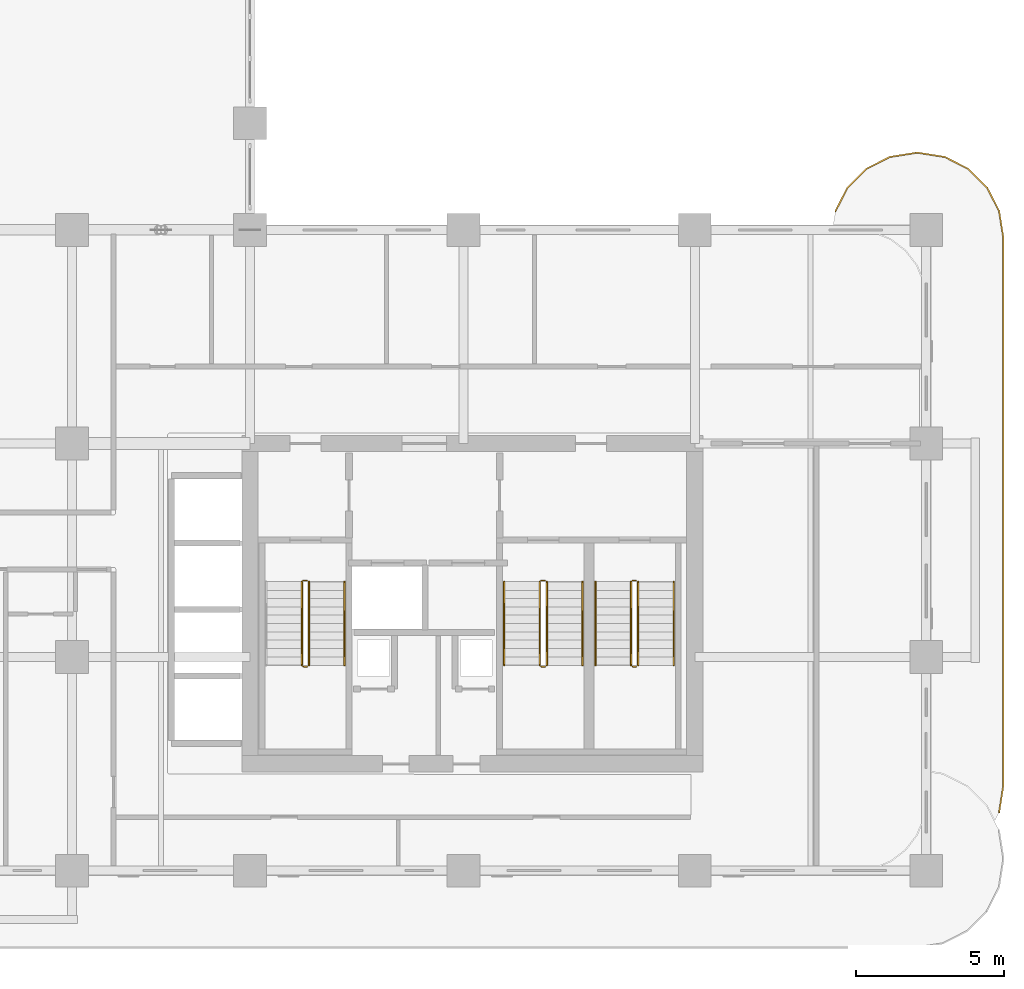
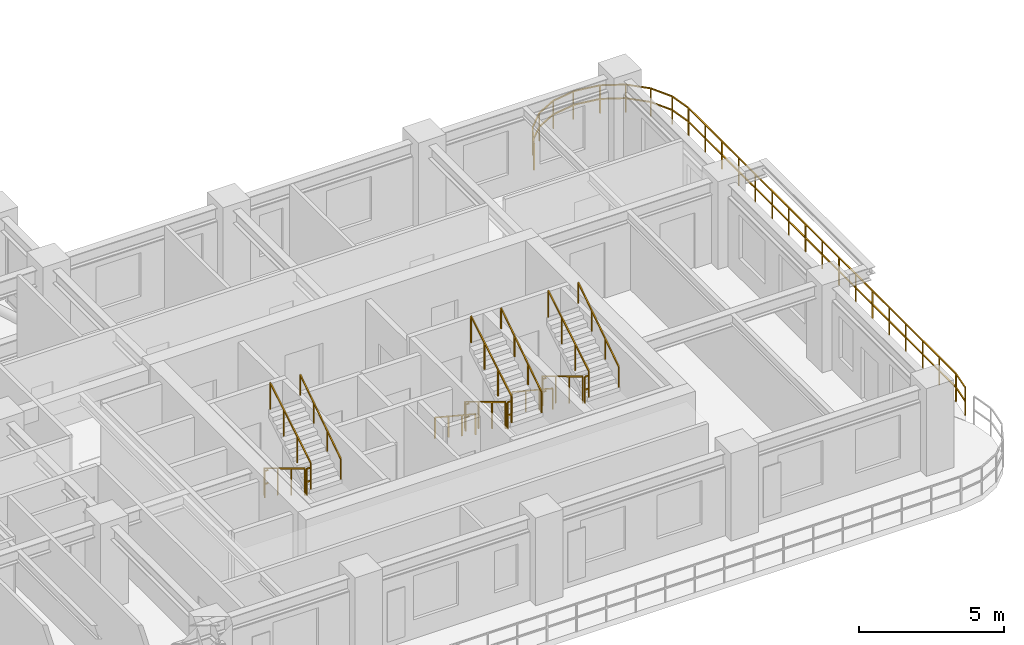
# One storey, part 19 of 21: 18 railings.
"""IFC4 building model written with IfcOpenShell, lengths in metres."""

from ifc_helpers import new_model, si_unit, derived_unit, direction, frame, origin, origin_2d, place, context, subcontext, project, spatial, rectangle, extrude, material, type_object, element, save


model = new_model("IFC4")

# Units and contexts
model_context = context("Model", 3, precision=1e-05, world=origin(), true_north=direction((0.0, 1.0)))
body_context = subcontext(model_context, "Body", "Model", "MODEL_VIEW")
ifc_project = project(units=[si_unit("LENGTHUNIT", "METRE"), si_unit("AREAUNIT", "SQUARE_METRE"), si_unit("VOLUMEUNIT", "CUBIC_METRE"), si_unit("PLANEANGLEUNIT", "RADIAN"), si_unit("MASSUNIT", "GRAM", prefix="KILO"), si_unit("THERMODYNAMICTEMPERATUREUNIT", "KELVIN"), si_unit("POWERUNIT", "WATT"), derived_unit("THERMALTRANSMITTANCEUNIT", [(si_unit("POWERUNIT", "WATT"), 1), (si_unit("AREAUNIT", "SQUARE_METRE"), -1), (si_unit("THERMODYNAMICTEMPERATUREUNIT", "KELVIN"), -1)])], contexts=[model_context])

# Site, building, storey
site_placement = place(None, origin())
site = spatial("IfcSite", under=ifc_project, at=site_placement, CompositionType="ELEMENT")
building_placement = place(site_placement, origin())
building = spatial("IfcBuilding", under=site, at=building_placement, Name="Zahravan Archway Hotel and Residences", CompositionType="ELEMENT")
storey_placement = place(building_placement, frame((0.0, 0.0, 69.39990234375)))
storey = spatial("IfcBuildingStorey", under=building, at=storey_placement, Name="L16", CompositionType="ELEMENT", Elevation=69.39990234375)

# Railings
ifc_material_1 = material(Name="Bronze & Laminated Glass Balustrade", Category="glass")
railing_type_1 = type_object("IfcRailingType", Name="RL-BAL-1200", PredefinedType="BALUSTRADE", material=ifc_material_1)
railing_1_placement = place(storey_placement, frame((54.53955078125, 22.230712890625, 0.0)))
element("IfcRailing", 1, at=railing_1_placement, inside=storey, type_object=railing_type_1, Name="L16 Balustrade RL-SLB-BAL-L16-EA-1", PredefinedType="BALUSTRADE", context=body_context, shape_type="SweptSolid", body=[
    extrude(rectangle(XDim=0.048095703125, YDim=0.048095703125, at=origin_2d()), frame((0.0, 0.0, 1.17578125), z_axis=(0.453991409995, 0.891006060389, 0.0), x_axis=(-0.891006060389, 0.453991409995, 0.0)), (0.0, 0.0, 1.0), 0.8916015625),
    extrude(rectangle(XDim=0.048095703125, YDim=0.048095703125, at=origin_2d()), frame((0.0, 0.0, 0.60009765625), z_axis=(0.453991409995, 0.891006060389, 0.0), x_axis=(-0.891006060389, 0.453991409995, 0.0)), (0.0, 0.0, 1.0), 0.8916015625),
    extrude(rectangle(XDim=0.048095703125, YDim=0.048095703125, at=origin_2d()), frame((0.40478515625, 0.79443359375, 1.17578125), z_axis=(0.706969864397, 0.70724367147, 0.0), x_axis=(-0.70724367147, 0.706969864397, 0.0)), (0.0, 0.0, 1.0), 0.8916015625),
    extrude(rectangle(XDim=0.048095703125, YDim=0.048095703125, at=origin_2d()), frame((0.40478515625, 0.79443359375, 0.60009765625), z_axis=(0.706969864397, 0.70724367147, 0.0), x_axis=(-0.70724367147, 0.706969864397, 0.0)), (0.0, 0.0, 1.0), 0.8916015625),
    extrude(rectangle(XDim=0.048095703125, YDim=0.048095703125, at=origin_2d()), frame((1.03515625, 1.425048828125, 1.17578125), z_axis=(0.891062476022, 0.45388067135, 0.0), x_axis=(-0.45388067135, 0.891062476022, 0.0)), (0.0, 0.0, 1.0), 0.891845703125),
    extrude(rectangle(XDim=0.048095703125, YDim=0.048095703125, at=origin_2d()), frame((1.03515625, 1.425048828125, 0.60009765625), z_axis=(0.891062476022, 0.45388067135, 0.0), x_axis=(-0.45388067135, 0.891062476022, 0.0)), (0.0, 0.0, 1.0), 0.891845703125),
    extrude(rectangle(XDim=0.048095703125, YDim=0.048095703125, at=origin_2d()), frame((1.829833984375, 1.829833984375, 1.17578125), z_axis=(0.987700720307, 0.156356282588, 0.0), x_axis=(-0.156356282588, 0.987700720307, 0.0)), (0.0, 0.0, 1.0), 0.8916015625),
    extrude(rectangle(XDim=0.048095703125, YDim=0.048095703125, at=origin_2d()), frame((1.829833984375, 1.829833984375, 0.60009765625), z_axis=(0.987700720307, 0.156356282588, 0.0), x_axis=(-0.156356282588, 0.987700720307, 0.0)), (0.0, 0.0, 1.0), 0.8916015625),
    extrude(rectangle(XDim=0.048095703125, YDim=0.048095703125, at=origin_2d()), frame((2.71044921875, 1.96923828125, 1.17578125), z_axis=(1.0, 0.0, 0.0), x_axis=(0.0, 1.0, 0.0)), (0.0, 0.0, 1.0), 0.10009765625),
    extrude(rectangle(XDim=0.048095703125, YDim=0.048095703125, at=origin_2d()), frame((2.71044921875, 1.96923828125, 0.60009765625), z_axis=(1.0, 0.0, 0.0), x_axis=(0.0, 1.0, 0.0)), (0.0, 0.0, 1.0), 0.10009765625),
    extrude(rectangle(XDim=0.048095703125, YDim=0.048095703125, at=origin_2d()), frame((2.810546875, 1.96923828125, 1.17578125), z_axis=(0.987700720307, -0.156356282588, 0.0), x_axis=(0.156356282588, 0.987700720307, 0.0)), (0.0, 0.0, 1.0), 0.8916015625),
    extrude(rectangle(XDim=0.048095703125, YDim=0.048095703125, at=origin_2d()), frame((2.810546875, 1.96923828125, 0.60009765625), z_axis=(0.987700720307, -0.156356282588, 0.0), x_axis=(0.156356282588, 0.987700720307, 0.0)), (0.0, 0.0, 1.0), 0.8916015625),
    extrude(rectangle(XDim=0.048095703125, YDim=0.048095703125, at=origin_2d()), frame((3.691162109375, 1.829833984375, 1.17578125), z_axis=(0.891006060389, -0.453991409995, 0.0), x_axis=(0.453991409995, 0.891006060389, 0.0)), (0.0, 0.0, 1.0), 0.8916015625),
    extrude(rectangle(XDim=0.048095703125, YDim=0.048095703125, at=origin_2d()), frame((3.691162109375, 1.829833984375, 0.60009765625), z_axis=(0.891006060389, -0.453991409995, 0.0), x_axis=(0.453991409995, 0.891006060389, 0.0)), (0.0, 0.0, 1.0), 0.8916015625),
    extrude(rectangle(XDim=0.048095703125, YDim=0.048095703125, at=origin_2d()), frame((4.485595703125, 1.425048828125, 1.17578125), z_axis=(0.707106781187, -0.707106781187, 0.0), x_axis=(0.707106781187, 0.707106781187, 0.0)), (0.0, 0.0, 1.0), 0.891845703125),
    extrude(rectangle(XDim=0.048095703125, YDim=0.048095703125, at=origin_2d()), frame((4.485595703125, 1.425048828125, 0.60009765625), z_axis=(0.707106781187, -0.707106781187, 0.0), x_axis=(0.707106781187, 0.707106781187, 0.0)), (0.0, 0.0, 1.0), 0.891845703125),
    extrude(rectangle(XDim=0.048095703125, YDim=0.048095703125, at=origin_2d()), frame((5.1162109375, 0.79443359375, 1.17578125), z_axis=(0.453991409995, -0.891006060389, 0.0), x_axis=(0.891006060389, 0.453991409995, 0.0)), (0.0, 0.0, 1.0), 0.8916015625),
    extrude(rectangle(XDim=0.048095703125, YDim=0.048095703125, at=origin_2d()), frame((5.1162109375, 0.79443359375, 0.60009765625), z_axis=(0.453991409995, -0.891006060389, 0.0), x_axis=(0.891006060389, 0.453991409995, 0.0)), (0.0, 0.0, 1.0), 0.8916015625),
    extrude(rectangle(XDim=0.048095703125, YDim=0.048095703125, at=origin_2d()), frame((5.52099609375, 0.0, 1.17578125), z_axis=(0.156356282588, -0.987700720307, 0.0), x_axis=(0.987700720307, 0.156356282588, 0.0)), (0.0, 0.0, 1.0), 0.8916015625),
    extrude(rectangle(XDim=0.048095703125, YDim=0.048095703125, at=origin_2d()), frame((5.52099609375, 0.0, 0.60009765625), z_axis=(0.156356282588, -0.987700720307, 0.0), x_axis=(0.987700720307, 0.156356282588, 0.0)), (0.0, 0.0, 1.0), 0.8916015625),
    extrude(rectangle(XDim=0.048095703125, YDim=0.048095703125, at=origin_2d()), frame((5.660400390625, -0.880615234375, 1.17578125), z_axis=(0.0, -1.0, 0.0), x_axis=(1.0, 0.0, 0.0)), (0.0, 0.0, 1.0), 18.5),
    extrude(rectangle(XDim=0.048095703125, YDim=0.048095703125, at=origin_2d()), frame((5.660400390625, -0.880615234375, 0.60009765625), z_axis=(0.0, -1.0, 0.0), x_axis=(1.0, 0.0, 0.0)), (0.0, 0.0, 1.0), 18.5),
    extrude(rectangle(XDim=0.048095703125, YDim=0.048095703125, at=origin_2d()), frame((5.660400390625, -19.380615234375, 1.17578125), z_axis=(-0.156314005608, -0.987707411965, 0.0), x_axis=(0.987707411965, -0.156314005608, 0.0)), (0.0, 0.0, 1.0), 0.891845703125),
    extrude(rectangle(XDim=0.048095703125, YDim=0.048095703125, at=origin_2d()), frame((5.660400390625, -19.380615234375, 0.60009765625), z_axis=(-0.156314005608, -0.987707411965, 0.0), x_axis=(0.987707411965, -0.156314005608, 0.0)), (0.0, 0.0, 1.0), 0.891845703125),
    extrude(rectangle(XDim=0.0419921875, YDim=0.0419921875, at=origin_2d()), origin(), (0.0, 0.0, 1.0), 1.15185546875),
    extrude(rectangle(XDim=0.0419921875, YDim=0.0419921875, at=origin_2d()), frame((0.40478515625, 0.79443359375, 0.0)), (0.0, 0.0, 1.0), 1.15185546875),
    extrude(rectangle(XDim=0.0419921875, YDim=0.0419921875, at=origin_2d()), frame((1.03515625, 1.425048828125, 0.0)), (0.0, 0.0, 1.0), 1.15185546875),
    extrude(rectangle(XDim=0.0419921875, YDim=0.0419921875, at=origin_2d()), frame((1.829833984375, 1.829833984375, 0.0)), (0.0, 0.0, 1.0), 1.15185546875),
    extrude(rectangle(XDim=0.0419921875, YDim=0.0419921875, at=origin_2d()), frame((2.71044921875, 1.96923828125, 0.0)), (0.0, 0.0, 1.0), 1.15185546875),
    extrude(rectangle(XDim=0.0419921875, YDim=0.0419921875, at=origin_2d()), frame((3.691162109375, 1.829833984375, 0.0)), (0.0, 0.0, 1.0), 1.15185546875),
    extrude(rectangle(XDim=0.0419921875, YDim=0.0419921875, at=origin_2d()), frame((4.485595703125, 1.425048828125, 0.0)), (0.0, 0.0, 1.0), 1.15185546875),
    extrude(rectangle(XDim=0.0419921875, YDim=0.0419921875, at=origin_2d()), frame((5.1162109375, 0.79443359375, 0.0)), (0.0, 0.0, 1.0), 1.15185546875),
    extrude(rectangle(XDim=0.0419921875, YDim=0.0419921875, at=origin_2d()), frame((5.52099609375, 0.0, 0.0)), (0.0, 0.0, 1.0), 1.15185546875),
    extrude(rectangle(XDim=0.0419921875, YDim=0.0419921875, at=origin_2d()), frame((5.660400390625, -0.880615234375, 0.0)), (0.0, 0.0, 1.0), 1.15185546875),
    extrude(rectangle(XDim=0.0419921875, YDim=0.0419921875, at=origin_2d()), frame((5.660400390625, -2.036865234375, 0.0)), (0.0, 0.0, 1.0), 1.15185546875),
    extrude(rectangle(XDim=0.0419921875, YDim=0.0419921875, at=origin_2d()), frame((5.660400390625, -3.193115234375, 0.0)), (0.0, 0.0, 1.0), 1.15185546875),
    extrude(rectangle(XDim=0.0419921875, YDim=0.0419921875, at=origin_2d()), frame((5.660400390625, -4.349365234375, 0.0)), (0.0, 0.0, 1.0), 1.15185546875),
    extrude(rectangle(XDim=0.0419921875, YDim=0.0419921875, at=origin_2d()), frame((5.660400390625, -5.505615234375, 0.0)), (0.0, 0.0, 1.0), 1.15185546875),
    extrude(rectangle(XDim=0.0419921875, YDim=0.0419921875, at=origin_2d()), frame((5.660400390625, -6.661865234375, 0.0)), (0.0, 0.0, 1.0), 1.15185546875),
    extrude(rectangle(XDim=0.0419921875, YDim=0.0419921875, at=origin_2d()), frame((5.660400390625, -7.818115234375, 0.0)), (0.0, 0.0, 1.0), 1.15185546875),
    extrude(rectangle(XDim=0.0419921875, YDim=0.0419921875, at=origin_2d()), frame((5.660400390625, -8.974365234375, 0.0)), (0.0, 0.0, 1.0), 1.15185546875),
    extrude(rectangle(XDim=0.0419921875, YDim=0.0419921875, at=origin_2d()), frame((5.660400390625, -10.130615234375, 0.0)), (0.0, 0.0, 1.0), 1.15185546875),
    extrude(rectangle(XDim=0.0419921875, YDim=0.0419921875, at=origin_2d()), frame((5.660400390625, -11.286865234375, 0.0)), (0.0, 0.0, 1.0), 1.15185546875),
    extrude(rectangle(XDim=0.0419921875, YDim=0.0419921875, at=origin_2d()), frame((5.660400390625, -12.443115234375, 0.0)), (0.0, 0.0, 1.0), 1.15185546875),
    extrude(rectangle(XDim=0.0419921875, YDim=0.0419921875, at=origin_2d()), frame((5.660400390625, -13.599365234375, 0.0)), (0.0, 0.0, 1.0), 1.15185546875),
    extrude(rectangle(XDim=0.0419921875, YDim=0.0419921875, at=origin_2d()), frame((5.660400390625, -14.755615234375, 0.0)), (0.0, 0.0, 1.0), 1.15185546875),
    extrude(rectangle(XDim=0.0419921875, YDim=0.0419921875, at=origin_2d()), frame((5.660400390625, -15.911865234375, 0.0)), (0.0, 0.0, 1.0), 1.15185546875),
    extrude(rectangle(XDim=0.0419921875, YDim=0.0419921875, at=origin_2d()), frame((5.660400390625, -17.068115234375, 0.0)), (0.0, 0.0, 1.0), 1.15185546875),
    extrude(rectangle(XDim=0.0419921875, YDim=0.0419921875, at=origin_2d()), frame((5.660400390625, -18.224365234375, 0.0)), (0.0, 0.0, 1.0), 1.15185546875),
    extrude(rectangle(XDim=0.0419921875, YDim=0.0419921875, at=origin_2d()), frame((5.660400390625, -19.380615234375, 0.0)), (0.0, 0.0, 1.0), 1.15185546875),
    extrude(rectangle(XDim=0.0419921875, YDim=0.0419921875, at=origin_2d()), frame((5.52099609375, -20.261474609375, 0.0)), (0.0, 0.0, 1.0), 1.15185546875),
])
ifc_material_2 = material(Name="Painted Tubular Steel", Category="steel")
railing_type_2 = type_object("IfcRailingType", Name="RL-STG-1150", PredefinedType="GUARDRAIL", material=ifc_material_2)
railing_2_placement = place(storey_placement, frame((36.550048828125, 9.72998046875, 0.168212890625)))
element("IfcRailing", 2, at=railing_2_placement, inside=storey, type_object=railing_type_2, Name="L16 ST-A1 stair guard 1", PredefinedType="GUARDRAIL", context=body_context, shape_type="SweptSolid", body=[
    extrude(rectangle(XDim=0.048095703125, YDim=0.048095703125, at=origin_2d()), frame((0.0, 0.0, 1.1259765625), z_axis=(0.0, -0.857242210791, 0.514913383045), x_axis=(1.0, 0.0, 0.0)), (0.0, 0.0, 1.0), 3.266357421875),
    extrude(rectangle(XDim=0.0419921875, YDim=0.0419921875, at=origin_2d()), origin(), (0.0, 0.0, 1.0), 1.101806640625),
    extrude(rectangle(XDim=0.0419921875, YDim=0.0419921875, at=origin_2d()), frame((0.0, -0.933349609375, 0.560546875)), (0.0, 0.0, 1.0), 1.101806640625),
    extrude(rectangle(XDim=0.0419921875, YDim=0.0419921875, at=origin_2d()), frame((0.0, -1.86669921875, 1.121337890625)), (0.0, 0.0, 1.0), 1.101806640625),
    extrude(rectangle(XDim=0.0419921875, YDim=0.0419921875, at=origin_2d()), frame((0.0, -2.800048828125, 1.681884765625)), (0.0, 0.0, 1.0), 1.101806640625),
])
railing_3_placement = place(storey_placement, frame((36.60009765625, 6.8798828125, 1.85009765625)))
element("IfcRailing", 3, at=railing_3_placement, inside=storey, type_object=railing_type_2, Name="L16 ST-A1 stair guard 2", PredefinedType="GUARDRAIL", context=body_context, shape_type="SweptSolid", body=[
    extrude(rectangle(XDim=0.048095703125, YDim=0.048095703125, at=origin_2d()), frame((0.0, 0.0, 1.1259765625), z_axis=(1.0, 0.0, 0.0), x_axis=(0.0, 1.0, 0.0)), (0.0, 0.0, 1.0), 0.139892578125),
    extrude(rectangle(XDim=0.048095703125, YDim=0.048095703125, at=origin_2d()), frame((0.0, 0.0, 0.574951171875), z_axis=(1.0, 0.0, 0.0), x_axis=(0.0, 1.0, 0.0)), (0.0, 0.0, 1.0), 0.139892578125),
    extrude(rectangle(XDim=0.0419921875, YDim=0.0419921875, at=origin_2d()), origin(), (0.0, 0.0, 1.0), 1.101806640625),
])
railing_4_placement = place(storey_placement, frame((36.7900390625, 6.929931640625, 2.018310546875)))
element("IfcRailing", 4, at=railing_4_placement, inside=storey, type_object=railing_type_2, Name="L16 ST-A1 stair guard 3", PredefinedType="GUARDRAIL", context=body_context, shape_type="SweptSolid", body=[
    extrude(rectangle(XDim=0.048095703125, YDim=0.048095703125, at=origin_2d()), frame((0.0, 0.0, 1.1259765625), z_axis=(0.0, 0.857242210791, 0.514913383045), x_axis=(-1.0, 0.0, 0.0)), (0.0, 0.0, 1.0), 3.266357421875),
    extrude(rectangle(XDim=0.0419921875, YDim=0.0419921875, at=origin_2d()), origin(), (0.0, 0.0, 1.0), 1.101806640625),
    extrude(rectangle(XDim=0.0419921875, YDim=0.0419921875, at=origin_2d()), frame((0.0, 0.933349609375, 0.560546875)), (0.0, 0.0, 1.0), 1.101806640625),
    extrude(rectangle(XDim=0.0419921875, YDim=0.0419921875, at=origin_2d()), frame((0.0, 1.86669921875, 1.121337890625)), (0.0, 0.0, 1.0), 1.101806640625),
    extrude(rectangle(XDim=0.0419921875, YDim=0.0419921875, at=origin_2d()), frame((0.0, 2.800048828125, 1.681884765625)), (0.0, 0.0, 1.0), 1.101806640625),
])
railing_5_placement = place(storey_placement, frame((36.60009765625, 9.780029296875, 0.0)))
element("IfcRailing", 5, at=railing_5_placement, inside=storey, type_object=railing_type_2, Name="L16 ST-A1 stair guard 4", PredefinedType="GUARDRAIL", context=body_context, shape_type="SweptSolid", body=[
    extrude(rectangle(XDim=0.048095703125, YDim=0.048095703125, at=origin_2d()), frame((0.0, 0.0, 1.1259765625), z_axis=(1.0, 0.0, 0.0), x_axis=(0.0, 1.0, 0.0)), (0.0, 0.0, 1.0), 0.139892578125),
    extrude(rectangle(XDim=0.048095703125, YDim=0.048095703125, at=origin_2d()), frame((0.0, 0.0, 0.574951171875), z_axis=(1.0, 0.0, 0.0), x_axis=(0.0, 1.0, 0.0)), (0.0, 0.0, 1.0), 0.139892578125),
    extrude(rectangle(XDim=0.0419921875, YDim=0.0419921875, at=origin_2d()), origin(), (0.0, 0.0, 1.0), 1.101806640625),
])
railing_6_placement = place(storey_placement, frame((44.570068359375, 9.72998046875, 0.168212890625)))
element("IfcRailing", 6, at=railing_6_placement, inside=storey, type_object=railing_type_2, Name="L16 ST-A2 stair guard 1", PredefinedType="GUARDRAIL", context=body_context, shape_type="SweptSolid", body=[
    extrude(rectangle(XDim=0.048095703125, YDim=0.048095703125, at=origin_2d()), frame((0.0, 0.0, 1.1259765625), z_axis=(0.0, -0.857242210791, 0.514913383045), x_axis=(1.0, 0.0, 0.0)), (0.0, 0.0, 1.0), 3.266357421875),
    extrude(rectangle(XDim=0.0419921875, YDim=0.0419921875, at=origin_2d()), origin(), (0.0, 0.0, 1.0), 1.101806640625),
    extrude(rectangle(XDim=0.0419921875, YDim=0.0419921875, at=origin_2d()), frame((0.0, -0.933349609375, 0.560546875)), (0.0, 0.0, 1.0), 1.101806640625),
    extrude(rectangle(XDim=0.0419921875, YDim=0.0419921875, at=origin_2d()), frame((0.0, -1.86669921875, 1.121337890625)), (0.0, 0.0, 1.0), 1.101806640625),
    extrude(rectangle(XDim=0.0419921875, YDim=0.0419921875, at=origin_2d()), frame((0.0, -2.800048828125, 1.681884765625)), (0.0, 0.0, 1.0), 1.101806640625),
])
railing_7_placement = place(storey_placement, frame((44.6201171875, 6.8798828125, 1.85009765625)))
element("IfcRailing", 7, at=railing_7_placement, inside=storey, type_object=railing_type_2, Name="L16 ST-A2 stair guard 2", PredefinedType="GUARDRAIL", context=body_context, shape_type="SweptSolid", body=[
    extrude(rectangle(XDim=0.048095703125, YDim=0.048095703125, at=origin_2d()), frame((0.0, 0.0, 1.1259765625), z_axis=(1.0, 0.0, 0.0), x_axis=(0.0, 1.0, 0.0)), (0.0, 0.0, 1.0), 0.139892578125),
    extrude(rectangle(XDim=0.048095703125, YDim=0.048095703125, at=origin_2d()), frame((0.0, 0.0, 0.574951171875), z_axis=(1.0, 0.0, 0.0), x_axis=(0.0, 1.0, 0.0)), (0.0, 0.0, 1.0), 0.139892578125),
    extrude(rectangle(XDim=0.0419921875, YDim=0.0419921875, at=origin_2d()), origin(), (0.0, 0.0, 1.0), 1.101806640625),
])
railing_8_placement = place(storey_placement, frame((44.81005859375, 6.929931640625, 2.018310546875)))
element("IfcRailing", 8, at=railing_8_placement, inside=storey, type_object=railing_type_2, Name="L16 ST-A2 stair guard 3", PredefinedType="GUARDRAIL", context=body_context, shape_type="SweptSolid", body=[
    extrude(rectangle(XDim=0.048095703125, YDim=0.048095703125, at=origin_2d()), frame((0.0, 0.0, 1.1259765625), z_axis=(0.0, 0.857242210791, 0.514913383045), x_axis=(-1.0, 0.0, 0.0)), (0.0, 0.0, 1.0), 3.266357421875),
    extrude(rectangle(XDim=0.0419921875, YDim=0.0419921875, at=origin_2d()), origin(), (0.0, 0.0, 1.0), 1.101806640625),
    extrude(rectangle(XDim=0.0419921875, YDim=0.0419921875, at=origin_2d()), frame((0.0, 0.933349609375, 0.560546875)), (0.0, 0.0, 1.0), 1.101806640625),
    extrude(rectangle(XDim=0.0419921875, YDim=0.0419921875, at=origin_2d()), frame((0.0, 1.86669921875, 1.121337890625)), (0.0, 0.0, 1.0), 1.101806640625),
    extrude(rectangle(XDim=0.0419921875, YDim=0.0419921875, at=origin_2d()), frame((0.0, 2.800048828125, 1.681884765625)), (0.0, 0.0, 1.0), 1.101806640625),
])
railing_9_placement = place(storey_placement, frame((44.6201171875, 9.780029296875, 0.0)))
element("IfcRailing", 9, at=railing_9_placement, inside=storey, type_object=railing_type_2, Name="L16 ST-A2 stair guard 4", PredefinedType="GUARDRAIL", context=body_context, shape_type="SweptSolid", body=[
    extrude(rectangle(XDim=0.048095703125, YDim=0.048095703125, at=origin_2d()), frame((0.0, 0.0, 1.1259765625), z_axis=(1.0, 0.0, 0.0), x_axis=(0.0, 1.0, 0.0)), (0.0, 0.0, 1.0), 0.139892578125),
    extrude(rectangle(XDim=0.048095703125, YDim=0.048095703125, at=origin_2d()), frame((0.0, 0.0, 0.574951171875), z_axis=(1.0, 0.0, 0.0), x_axis=(0.0, 1.0, 0.0)), (0.0, 0.0, 1.0), 0.139892578125),
    extrude(rectangle(XDim=0.0419921875, YDim=0.0419921875, at=origin_2d()), origin(), (0.0, 0.0, 1.0), 1.101806640625),
])
railing_10_placement = place(storey_placement, frame((47.64990234375, 9.72998046875, 0.168212890625)))
element("IfcRailing", 10, at=railing_10_placement, inside=storey, type_object=railing_type_2, Name="L16 ST-A3 stair guard 1", PredefinedType="GUARDRAIL", context=body_context, shape_type="SweptSolid", body=[
    extrude(rectangle(XDim=0.048095703125, YDim=0.048095703125, at=origin_2d()), frame((0.0, 0.0, 1.1259765625), z_axis=(0.0, -0.857242210791, 0.514913383045), x_axis=(1.0, 0.0, 0.0)), (0.0, 0.0, 1.0), 3.266357421875),
    extrude(rectangle(XDim=0.0419921875, YDim=0.0419921875, at=origin_2d()), origin(), (0.0, 0.0, 1.0), 1.101806640625),
    extrude(rectangle(XDim=0.0419921875, YDim=0.0419921875, at=origin_2d()), frame((0.0, -0.933349609375, 0.560546875)), (0.0, 0.0, 1.0), 1.101806640625),
    extrude(rectangle(XDim=0.0419921875, YDim=0.0419921875, at=origin_2d()), frame((0.0, -1.86669921875, 1.121337890625)), (0.0, 0.0, 1.0), 1.101806640625),
    extrude(rectangle(XDim=0.0419921875, YDim=0.0419921875, at=origin_2d()), frame((0.0, -2.800048828125, 1.681884765625)), (0.0, 0.0, 1.0), 1.101806640625),
])
railing_11_placement = place(storey_placement, frame((47.699951171875, 6.8798828125, 1.85009765625)))
element("IfcRailing", 11, at=railing_11_placement, inside=storey, type_object=railing_type_2, Name="L16 ST-A3 stair guard 2", PredefinedType="GUARDRAIL", context=body_context, shape_type="SweptSolid", body=[
    extrude(rectangle(XDim=0.048095703125, YDim=0.048095703125, at=origin_2d()), frame((0.0, 0.0, 1.1259765625), z_axis=(1.0, 0.0, 0.0), x_axis=(0.0, 1.0, 0.0)), (0.0, 0.0, 1.0), 0.14013671875),
    extrude(rectangle(XDim=0.048095703125, YDim=0.048095703125, at=origin_2d()), frame((0.0, 0.0, 0.574951171875), z_axis=(1.0, 0.0, 0.0), x_axis=(0.0, 1.0, 0.0)), (0.0, 0.0, 1.0), 0.14013671875),
    extrude(rectangle(XDim=0.0419921875, YDim=0.0419921875, at=origin_2d()), origin(), (0.0, 0.0, 1.0), 1.101806640625),
])
railing_12_placement = place(storey_placement, frame((47.889892578125, 6.929931640625, 2.018310546875)))
element("IfcRailing", 12, at=railing_12_placement, inside=storey, type_object=railing_type_2, Name="L16 ST-A3 stair guard 3", PredefinedType="GUARDRAIL", context=body_context, shape_type="SweptSolid", body=[
    extrude(rectangle(XDim=0.048095703125, YDim=0.048095703125, at=origin_2d()), frame((0.0, 0.0, 1.1259765625), z_axis=(0.0, 0.857242210791, 0.514913383045), x_axis=(-1.0, 0.0, 0.0)), (0.0, 0.0, 1.0), 3.266357421875),
    extrude(rectangle(XDim=0.0419921875, YDim=0.0419921875, at=origin_2d()), origin(), (0.0, 0.0, 1.0), 1.101806640625),
    extrude(rectangle(XDim=0.0419921875, YDim=0.0419921875, at=origin_2d()), frame((0.0, 0.933349609375, 0.560546875)), (0.0, 0.0, 1.0), 1.101806640625),
    extrude(rectangle(XDim=0.0419921875, YDim=0.0419921875, at=origin_2d()), frame((0.0, 1.86669921875, 1.121337890625)), (0.0, 0.0, 1.0), 1.101806640625),
    extrude(rectangle(XDim=0.0419921875, YDim=0.0419921875, at=origin_2d()), frame((0.0, 2.800048828125, 1.681884765625)), (0.0, 0.0, 1.0), 1.101806640625),
])
railing_13_placement = place(storey_placement, frame((47.699951171875, 9.780029296875, 0.0)))
element("IfcRailing", 13, at=railing_13_placement, inside=storey, type_object=railing_type_2, Name="L16 ST-A3 stair guard 4", PredefinedType="GUARDRAIL", context=body_context, shape_type="SweptSolid", body=[
    extrude(rectangle(XDim=0.048095703125, YDim=0.048095703125, at=origin_2d()), frame((0.0, 0.0, 1.1259765625), z_axis=(1.0, 0.0, 0.0), x_axis=(0.0, 1.0, 0.0)), (0.0, 0.0, 1.0), 0.14013671875),
    extrude(rectangle(XDim=0.048095703125, YDim=0.048095703125, at=origin_2d()), frame((0.0, 0.0, 0.574951171875), z_axis=(1.0, 0.0, 0.0), x_axis=(0.0, 1.0, 0.0)), (0.0, 0.0, 1.0), 0.14013671875),
    extrude(rectangle(XDim=0.0419921875, YDim=0.0419921875, at=origin_2d()), origin(), (0.0, 0.0, 1.0), 1.101806640625),
])
ifc_material_3 = material(Name="Brushed Stainless Steel", Category="steel")
railing_type_3 = type_object("IfcRailingType", Name="RL-STH-900", PredefinedType="HANDRAIL", material=ifc_material_3)
railing_14_placement = place(storey_placement, frame((37.989990234375, 6.929931640625, 2.018310546875)))
element("IfcRailing", 14, at=railing_14_placement, inside=storey, type_object=railing_type_3, Name="L16 ST-A1 stair handrail 2", PredefinedType="HANDRAIL", context=body_context, shape_type="SweptSolid", body=[
    extrude(rectangle(XDim=0.048095703125, YDim=0.048095703125, at=origin_2d()), frame((0.0, 0.0, 0.8759765625), z_axis=(0.0, 0.83435981716, 0.551220187865), x_axis=(-1.0, 0.0, 0.0)), (0.0, 0.0, 1.0), 3.35595703125),
    extrude(rectangle(XDim=0.0419921875, YDim=0.0419921875, at=origin_2d()), origin(), (0.0, 0.0, 1.0), 0.851806640625),
    extrude(rectangle(XDim=0.0419921875, YDim=0.0419921875, at=origin_2d()), frame((0.0, 0.933349609375, 0.61669921875)), (0.0, 0.0, 1.0), 0.851806640625),
    extrude(rectangle(XDim=0.0419921875, YDim=0.0419921875, at=origin_2d()), frame((0.0, 1.86669921875, 1.233154296875)), (0.0, 0.0, 1.0), 0.851806640625),
    extrude(rectangle(XDim=0.0419921875, YDim=0.0419921875, at=origin_2d()), frame((0.0, 2.800048828125, 1.849853515625)), (0.0, 0.0, 1.0), 0.851806640625),
])
railing_15_placement = place(storey_placement, frame((43.3701171875, 9.72998046875, 0.168212890625)))
element("IfcRailing", 15, at=railing_15_placement, inside=storey, type_object=railing_type_3, Name="L16 ST-A2 stair handrail 1", PredefinedType="HANDRAIL", context=body_context, shape_type="SweptSolid", body=[
    extrude(rectangle(XDim=0.048095703125, YDim=0.048095703125, at=origin_2d()), frame((0.0, 0.0, 0.8759765625), z_axis=(0.0, -0.834326358476, 0.551270829586), x_axis=(1.0, 0.0, 0.0)), (0.0, 0.0, 1.0), 3.35595703125),
    extrude(rectangle(XDim=0.0419921875, YDim=0.0419921875, at=origin_2d()), origin(), (0.0, 0.0, 1.0), 0.851806640625),
    extrude(rectangle(XDim=0.0419921875, YDim=0.0419921875, at=origin_2d()), frame((0.0, -0.933349609375, 0.61669921875)), (0.0, 0.0, 1.0), 0.851806640625),
    extrude(rectangle(XDim=0.0419921875, YDim=0.0419921875, at=origin_2d()), frame((0.0, -1.86669921875, 1.2333984375)), (0.0, 0.0, 1.0), 0.851806640625),
    extrude(rectangle(XDim=0.0419921875, YDim=0.0419921875, at=origin_2d()), frame((0.0, -2.800048828125, 1.85009765625)), (0.0, 0.0, 1.0), 0.851806640625),
])
railing_16_placement = place(storey_placement, frame((46.010009765625, 6.929931640625, 2.018310546875)))
element("IfcRailing", 16, at=railing_16_placement, inside=storey, type_object=railing_type_3, Name="L16 ST-A2 stair handrail 2", PredefinedType="HANDRAIL", context=body_context, shape_type="SweptSolid", body=[
    extrude(rectangle(XDim=0.048095703125, YDim=0.048095703125, at=origin_2d()), frame((0.0, 0.0, 0.8759765625), z_axis=(0.0, 0.83435981716, 0.551220187865), x_axis=(-1.0, 0.0, 0.0)), (0.0, 0.0, 1.0), 3.35595703125),
    extrude(rectangle(XDim=0.0419921875, YDim=0.0419921875, at=origin_2d()), origin(), (0.0, 0.0, 1.0), 0.851806640625),
    extrude(rectangle(XDim=0.0419921875, YDim=0.0419921875, at=origin_2d()), frame((0.0, 0.933349609375, 0.61669921875)), (0.0, 0.0, 1.0), 0.851806640625),
    extrude(rectangle(XDim=0.0419921875, YDim=0.0419921875, at=origin_2d()), frame((0.0, 1.86669921875, 1.233154296875)), (0.0, 0.0, 1.0), 0.851806640625),
    extrude(rectangle(XDim=0.0419921875, YDim=0.0419921875, at=origin_2d()), frame((0.0, 2.800048828125, 1.849853515625)), (0.0, 0.0, 1.0), 0.851806640625),
])
railing_17_placement = place(storey_placement, frame((46.449951171875, 9.72998046875, 0.168212890625)))
element("IfcRailing", 17, at=railing_17_placement, inside=storey, type_object=railing_type_3, Name="L16 ST-A3 stair handrail 1", PredefinedType="HANDRAIL", context=body_context, shape_type="SweptSolid", body=[
    extrude(rectangle(XDim=0.048095703125, YDim=0.048095703125, at=origin_2d()), frame((0.0, 0.0, 0.8759765625), z_axis=(0.0, -0.834326358476, 0.551270829586), x_axis=(1.0, 0.0, 0.0)), (0.0, 0.0, 1.0), 3.35595703125),
    extrude(rectangle(XDim=0.0419921875, YDim=0.0419921875, at=origin_2d()), origin(), (0.0, 0.0, 1.0), 0.851806640625),
    extrude(rectangle(XDim=0.0419921875, YDim=0.0419921875, at=origin_2d()), frame((0.0, -0.933349609375, 0.61669921875)), (0.0, 0.0, 1.0), 0.851806640625),
    extrude(rectangle(XDim=0.0419921875, YDim=0.0419921875, at=origin_2d()), frame((0.0, -1.86669921875, 1.2333984375)), (0.0, 0.0, 1.0), 0.851806640625),
    extrude(rectangle(XDim=0.0419921875, YDim=0.0419921875, at=origin_2d()), frame((0.0, -2.800048828125, 1.85009765625)), (0.0, 0.0, 1.0), 0.851806640625),
])
railing_18_placement = place(storey_placement, frame((49.090087890625, 6.929931640625, 2.018310546875)))
element("IfcRailing", 18, at=railing_18_placement, inside=storey, type_object=railing_type_3, Name="L16 ST-A3 stair handrail 2", PredefinedType="HANDRAIL", context=body_context, shape_type="SweptSolid", body=[
    extrude(rectangle(XDim=0.048095703125, YDim=0.048095703125, at=origin_2d()), frame((0.0, 0.0, 0.8759765625), z_axis=(0.0, 0.83435981716, 0.551220187865), x_axis=(-1.0, 0.0, 0.0)), (0.0, 0.0, 1.0), 3.35595703125),
    extrude(rectangle(XDim=0.0419921875, YDim=0.0419921875, at=origin_2d()), origin(), (0.0, 0.0, 1.0), 0.851806640625),
    extrude(rectangle(XDim=0.0419921875, YDim=0.0419921875, at=origin_2d()), frame((0.0, 0.933349609375, 0.61669921875)), (0.0, 0.0, 1.0), 0.851806640625),
    extrude(rectangle(XDim=0.0419921875, YDim=0.0419921875, at=origin_2d()), frame((0.0, 1.86669921875, 1.233154296875)), (0.0, 0.0, 1.0), 0.851806640625),
    extrude(rectangle(XDim=0.0419921875, YDim=0.0419921875, at=origin_2d()), frame((0.0, 2.800048828125, 1.849853515625)), (0.0, 0.0, 1.0), 0.851806640625),
])

save(model, "model.ifc")
